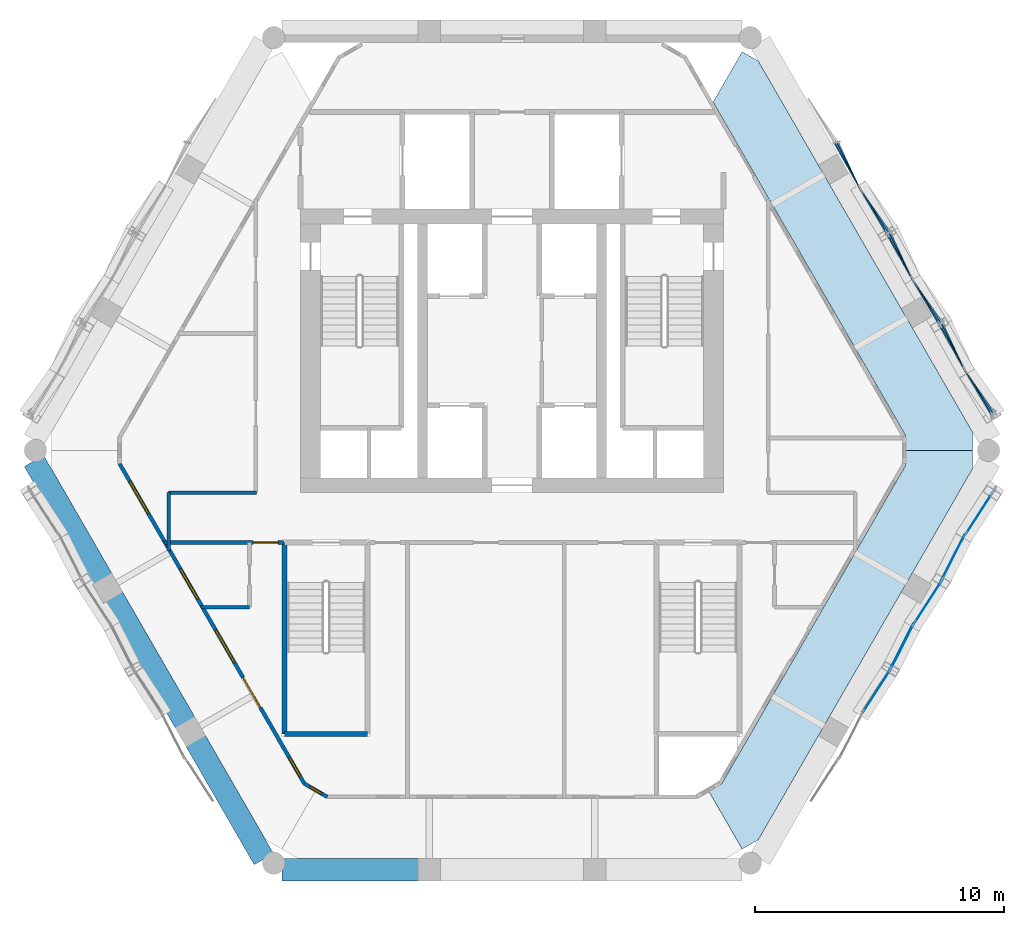
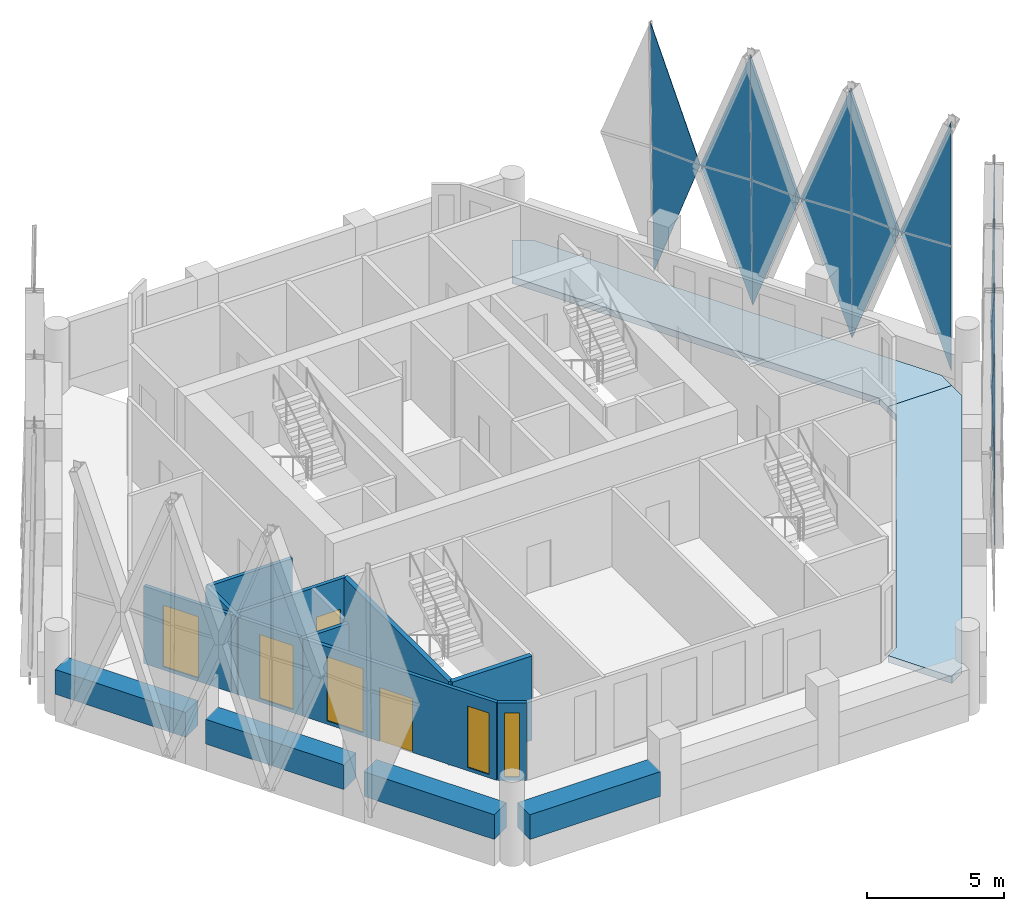
# One storey, part 11 of 18: 21 plates, 12 walls, 5 windows, 2 doors, 2 slabs, 7 openings, 8 elements without a shape of their own.
"""IFC4 building model written with IfcOpenShell, lengths in metres."""

from ifc_helpers import new_model, si_unit, direction, frame, frame_2d, origin, place, context, subcontext, project, spatial, polyline, rectangle, outline, extrude, material, layer, layer_set, type_object, element, fill, aggregate, save


model = new_model("IFC4")

# Units and contexts
model_context = context("Model", 3, precision=1e-05, world=origin(), true_north=direction((0.0, 1.0)))
body_context = subcontext(model_context, "Body", "Model", "MODEL_VIEW")
ifc_project = project(units=[si_unit("LENGTHUNIT", "METRE"), si_unit("AREAUNIT", "SQUARE_METRE"), si_unit("VOLUMEUNIT", "CUBIC_METRE"), si_unit("PLANEANGLEUNIT", "RADIAN"), si_unit("MASSUNIT", "GRAM", prefix="KILO")], contexts=[model_context])

# Site, building, storey
site_placement = place(None, origin())
site = spatial("IfcSite", under=ifc_project, at=site_placement, CompositionType="ELEMENT")
building_placement = place(site_placement, origin())
building = spatial("IfcBuilding", under=site, at=building_placement, Name="Ostrander Bayou Hotel Tower", CompositionType="ELEMENT")
storey_placement = place(building_placement, frame((0.0, 0.0, 214.5)))
storey = spatial("IfcBuildingStorey", under=building, at=storey_placement, Name="L53", CompositionType="ELEMENT", Elevation=214.5)

# Curtain wall, plate
ifc_material_1 = material(Name="Aluminium and clear glass", Category="aluminium")
curtain_wall_type = type_object("IfcCurtainWallType", Name="CW-LAT lattice glazing", PredefinedType="NOTDEFINED", material=ifc_material_1)
curtain_wall_1_placement = place(storey_placement, origin())
curtain_wall_1 = element("IfcCurtainWall", 1, at=curtain_wall_1_placement, inside=storey, type_object=curtain_wall_type, Name="CW-LAT L53 SE 2", PredefinedType="NOTDEFINED")
ifc_material_2 = material(Name="Clear laminated glass", Category="glass")
ifc_layer_1 = layer(ifc_material_2, 0.028076171875)
ifc_layer_set_1 = layer_set([ifc_layer_1], Name="CW-LA glazing panel 28 mm")
plate_type = type_object("IfcPlateType", Name="CW-LA glazing panel 28 mm", PredefinedType="CURTAIN_PANEL", material=ifc_layer_set_1)
plate_1_placement = place(storey_placement, frame((14.089111328125, -10.518310546875, 5.02490234375), z_axis=(-0.838389655086, 0.545071358856, 0.0), x_axis=(0.188046818947, 0.289240124464, 0.938604572908)))
plate_1 = element("IfcPlate", 2, at=plate_1_placement, type_object=plate_type, Name="CW-LAT panel 6", PredefinedType="CURTAIN_PANEL", context=body_context, shape_type="SweptSolid", body=[
    extrude(outline(polyline([(0.0, 0.0), (5.9929390526747985, 0.0), (0.7132883300668317, 1.940596106165623), (0.0, 0.0)])), origin(), (0.0, 0.0, -1.0), 0.028076171875),
])

curtain_wall_2_placement = place(storey_placement, origin())
curtain_wall_2 = element("IfcCurtainWall", 3, at=curtain_wall_2_placement, inside=storey, type_object=curtain_wall_type, Name="CW-LAT L53 SE 3", PredefinedType="NOTDEFINED")
plate_2_placement = place(storey_placement, frame((16.153564453125, -6.9423828125, 5.02490234375), z_axis=(-0.891263795386, 0.45348522251, 0.0), x_axis=(-0.156435996819, -0.307453767706, -0.938615980912)))
plate_2 = element("IfcPlate", 4, at=plate_2_placement, type_object=plate_type, Name="CW-LAT panel 7", PredefinedType="CURTAIN_PANEL", context=body_context, shape_type="SweptSolid", body=[
    extrude(outline(polyline([(0.0, 0.0), (5.9928662140784255, 0.0), (0.7131513214499321, 1.9404215141450316), (0.0, 0.0)])), origin(), (0.0, 0.0, -1.0), 0.028076171875),
])

curtain_wall_3_placement = place(storey_placement, origin())
curtain_wall_3 = element("IfcCurtainWall", 5, at=curtain_wall_3_placement, inside=storey, type_object=curtain_wall_type, Name="CW-LAT L53 SE 4", PredefinedType="NOTDEFINED")
plate_3_placement = place(storey_placement, frame((16.153564453125, -6.9423828125, 5.02490234375), z_axis=(0.891263795386, -0.45348522251, 0.0), x_axis=(-0.156435996819, -0.307453767706, 0.938615980912)))
plate_3 = element("IfcPlate", 6, at=plate_3_placement, type_object=plate_type, Name="CW-LAT panel 8", PredefinedType="CURTAIN_PANEL", context=body_context, shape_type="SweptSolid", body=[
    extrude(outline(polyline([(0.0, 0.0), (5.9928662140784255, 0.0), (0.7131513214499321, 1.9404215141450316), (0.0, 0.0)])), origin(), (0.0, 0.0, -1.0), 0.028076171875),
])

curtain_wall_4_placement = place(storey_placement, origin())
curtain_wall_4 = element("IfcCurtainWall", 7, at=curtain_wall_4_placement, inside=storey, type_object=curtain_wall_type, Name="CW-LAT L53 SE 1", PredefinedType="NOTDEFINED")
plate_4_placement = place(storey_placement, frame((16.153564453125, -6.9423828125, 5.02490234375), z_axis=(-0.838354483937, 0.545125270863, 0.00044534117), x_axis=(0.19147414186, 0.295235007192, -0.936041635573)))
plate_4 = element("IfcPlate", 8, at=plate_4_placement, type_object=plate_type, Name="CW-LAT panel 9", PredefinedType="CURTAIN_PANEL", context=body_context, shape_type="SweptSolid", body=[
    extrude(outline(polyline([(0.0, 0.0), (6.009348074088473, -2.220446049250313e-16), (0.7274702038293703, -1.9351057504084879), (0.0, 0.0)])), origin(), (0.0, 0.0, -1.0), 0.028076171875),
])

# Plate
plate_5_placement = place(storey_placement, frame((16.153564453125, -6.9423828125, 5.02490234375), z_axis=(-0.838354479118, 0.545125267729, 0.00045806813), x_axis=(0.184632169995, 0.283157124426, 0.941133893072)))
plate_5 = element("IfcPlate", 9, at=plate_5_placement, type_object=plate_type, Name="CW-LAT panel 10", PredefinedType="CURTAIN_PANEL", context=body_context, shape_type="SweptSolid", body=[
    extrude(outline(polyline([(0.0, 0.0), (5.976832883615248, -4.440892098500626e-16), (0.6988267878414262, 1.945633131738555), (0.0, 0.0)])), origin(), (0.0, 0.0, -1.0), 0.028076171875),
])

plate_6_placement = place(storey_placement, frame((18.218017578125, -3.366455078125, 5.02490234375), z_axis=(0.891287989002, -0.453437450684, 0.000446069584), x_axis=(-0.152894503593, -0.301459106737, -0.941140625909)))
plate_6 = element("IfcPlate", 10, at=plate_6_placement, type_object=plate_type, Name="CW-LAT panel 11", PredefinedType="CURTAIN_PANEL", context=body_context, shape_type="SweptSolid", body=[
    extrude(outline(polyline([(0.0, 0.0), (5.9767901258815845, -2.220446049250313e-16), (0.6988594315048104, -1.9458457510687583), (0.0, 0.0)])), origin(), (0.0, 0.0, -1.0), 0.028076171875),
])

aggregate(curtain_wall_2, [plate_2, plate_6])

plate_7_placement = place(storey_placement, frame((18.218017578125, -3.366455078125, 5.02490234375), z_axis=(0.891287996396, -0.453437454446, 0.000427065658), x_axis=(-0.159908212959, -0.313437973317, 0.936048075855)))
plate_7 = element("IfcPlate", 11, at=plate_7_placement, type_object=plate_type, Name="CW-LAT panel 12", PredefinedType="CURTAIN_PANEL", context=body_context, shape_type="SweptSolid", body=[
    extrude(outline(polyline([(0.0, 0.0), (6.009306728036717, 0.0), (0.7275091211807005, 1.9353166848230423), (0.0, 0.0)])), origin(), (0.0, 0.0, -1.0), 0.028076171875),
])

aggregate(curtain_wall_3, [plate_3, plate_7])

plate_8_placement = place(storey_placement, frame((18.218017578125, -3.366455078125, 5.02490234375), z_axis=(-0.838300252815, 0.545208095118, 0.000905067842), x_axis=(0.194872312498, 0.301181033495, -0.933442428265)))
plate_8 = element("IfcPlate", 12, at=plate_8_placement, type_object=plate_type, Name="CW-LAT panel 13", PredefinedType="CURTAIN_PANEL", context=body_context, shape_type="SweptSolid", body=[
    extrude(outline(polyline([(0.0, 0.0), (6.026081341146055, 4.440892098500626e-16), (0.7416527401324696, -1.929857172296114), (0.0, 0.0)])), origin(), (0.0, 0.0, -1.0), 0.028076171875),
])

aggregate(curtain_wall_4, [plate_4, plate_8])

plate_9_placement = place(storey_placement, frame((18.218017578125, -3.366455078125, 5.02490234375), z_axis=(-0.838300279866, 0.545208112712, 0.00086868331), x_axis=(0.181149399113, 0.277027930274, 0.943631507024)))
plate_9 = element("IfcPlate", 13, at=plate_9_placement, type_object=plate_type, Name="CW-LAT panel 14", PredefinedType="CURTAIN_PANEL", context=body_context, shape_type="SweptSolid", body=[
    extrude(outline(polyline([(0.0, 0.0), (5.961013338498988, 0.0), (0.6843232550587842, 1.9509226471068768), (0.0, 0.0)])), origin(), (0.0, 0.0, -1.0), 0.028076171875),
])

aggregate(curtain_wall_1, [plate_1, plate_5, plate_9])

# Curtain wall, plate
curtain_wall_5_placement = place(storey_placement, origin())
curtain_wall_5 = element("IfcCurtainWall", 14, at=curtain_wall_5_placement, inside=storey, type_object=curtain_wall_type, Name="CW-LAT L53 NE 3", PredefinedType="NOTDEFINED")
plate_10_placement = place(storey_placement, frame((18.2001953125, 3.233642578125, 5.02490234375), z_axis=(0.838681381803, 0.544417395247, 0.014941203737), x_axis=(0.19899021183, -0.280778734284, -0.938917567186)))
plate_10 = element("IfcPlate", 15, at=plate_10_placement, type_object=plate_type, Name="CW-LAT panel 1", PredefinedType="CURTAIN_PANEL", context=body_context, shape_type="SweptSolid", body=[
    extrude(outline(polyline([(0.0, 0.0), (5.990941267465549, 4.440892098500626e-16), (0.7231177853239341, -1.9747329200857906), (0.0, 0.0)])), origin(), (0.0, 0.0, -1.0), 0.028076171875),
])

curtain_wall_6_placement = place(storey_placement, origin())
curtain_wall_6 = element("IfcCurtainWall", 16, at=curtain_wall_6_placement, inside=storey, type_object=curtain_wall_type, Name="CW-LAT L53 NE 4", PredefinedType="NOTDEFINED")
plate_11_placement = place(storey_placement, frame((18.2001953125, 3.233642578125, 5.02490234375), z_axis=(0.838680925109, 0.544417098791, 0.014977596683), x_axis=(0.182305513905, -0.306545748471, 0.934234662006)))
plate_11 = element("IfcPlate", 17, at=plate_11_placement, type_object=plate_type, Name="CW-LAT panel 2", PredefinedType="CURTAIN_PANEL", context=body_context, shape_type="SweptSolid", body=[
    extrude(outline(polyline([(0.0, 0.0), (6.020971206441602, -4.440892098500626e-16), (0.7494643293257232, 1.964884896422864), (0.0, 0.0)])), origin(), (0.0, 0.0, -1.0), 0.028076171875),
])

curtain_wall_7_placement = place(storey_placement, origin())
curtain_wall_7 = element("IfcCurtainWall", 18, at=curtain_wall_7_placement, inside=storey, type_object=curtain_wall_type, Name="CW-LAT L53 NE 1", PredefinedType="NOTDEFINED")
plate_12_placement = place(storey_placement, frame((18.2001953125, 3.233642578125, 5.02490234375), z_axis=(0.890802101488, 0.454166274081, 0.014304246673), x_axis=(-0.148948402298, 0.321598675697, -0.935087517424)))
plate_12 = element("IfcPlate", 19, at=plate_12_placement, type_object=plate_type, Name="CW-LAT panel 3", PredefinedType="CURTAIN_PANEL", context=body_context, shape_type="SweptSolid", body=[
    extrude(outline(polyline([(0.0, 0.0), (6.015479722683937, 2.220446049250313e-16), (0.7447052706094788, 1.9664199739631727), (0.0, 0.0)])), origin(), (0.0, 0.0, -1.0), 0.028076171875),
])

curtain_wall_8_placement = place(storey_placement, origin())
curtain_wall_8 = element("IfcCurtainWall", 20, at=curtain_wall_8_placement, inside=storey, type_object=curtain_wall_type, Name="CW-LAT L53 NE 2", PredefinedType="NOTDEFINED")
plate_13_placement = place(storey_placement, frame((18.2001953125, 3.233642578125, 5.02490234375), z_axis=(0.890801850138, 0.454166145933, 0.01432395471), x_axis=(-0.169140318983, 0.302164253051, 0.938130223728)))
plate_13 = element("IfcPlate", 21, at=plate_13_placement, type_object=plate_type, Name="CW-LAT panel 4", PredefinedType="CURTAIN_PANEL", context=body_context, shape_type="SweptSolid", body=[
    extrude(outline(polyline([(0.0, 0.0), (5.995969277745672, 0.0), (0.7275837991990841, -1.9728191172071219), (0.0, 0.0)])), origin(), (0.0, 0.0, -1.0), 0.028076171875),
])

# Plate
plate_14_placement = place(storey_placement, frame((16.100341796875, 6.870849609375, 5.02490234375), z_axis=(0.838736903053, 0.544337347878, 0.014739713752), x_axis=(0.200673928315, -0.283816665194, -0.937644962154)))
plate_14 = element("IfcPlate", 22, at=plate_14_placement, type_object=plate_type, Name="CW-LAT panel 5", PredefinedType="CURTAIN_PANEL", context=body_context, shape_type="SweptSolid", body=[
    extrude(outline(polyline([(0.0, 0.0), (5.999072385647575, 4.440892098500626e-16), (0.7303553359116741, -1.971925832394399), (0.0, 0.0)])), origin(), (0.0, 0.0, -1.0), 0.028076171875),
])

plate_15_placement = place(storey_placement, frame((16.100341796875, 6.870849609375, 5.02490234375), z_axis=(0.83873661074, 0.544337158168, 0.01476333436), x_axis=(0.180569133683, -0.30360139702, 0.935532457849)))
plate_15 = element("IfcPlate", 23, at=plate_15_placement, type_object=plate_type, Name="CW-LAT panel 6", PredefinedType="CURTAIN_PANEL", context=body_context, shape_type="SweptSolid", body=[
    extrude(outline(polyline([(0.0, 0.0), (6.01261875289098, 4.440892098500626e-16), (0.7422384671159497, 1.96748378979151), (0.0, 0.0)])), origin(), (0.0, 0.0, -1.0), 0.028076171875),
])

plate_16_placement = place(storey_placement, frame((16.100341796875, 6.870849609375, 5.02490234375), z_axis=(0.890799534933, 0.454164965549, 0.014504228055), x_axis=(-0.147203413834, 0.31862914535, -0.936379529192)))
plate_16 = element("IfcPlate", 24, at=plate_16_placement, type_object=plate_type, Name="CW-LAT panel 7", PredefinedType="CURTAIN_PANEL", context=body_context, shape_type="SweptSolid", body=[
    extrude(outline(polyline([(0.0, 0.0), (6.007179594000483, -2.220446049250313e-16), (0.7374758757783697, 1.969142652709495), (0.0, 0.0)])), origin(), (0.0, 0.0, -1.0), 0.028076171875),
])

plate_17_placement = place(storey_placement, frame((16.100341796875, 6.870849609375, 5.02490234375), z_axis=(0.890798779187, 0.45416458024, 0.014562590895), x_axis=(-0.170900002624, 0.305164054173, 0.936839414811)))
plate_17 = element("IfcPlate", 25, at=plate_17_placement, type_object=plate_type, Name="CW-LAT panel 8", PredefinedType="CURTAIN_PANEL", context=body_context, shape_type="SweptSolid", body=[
    extrude(outline(polyline([(0.0, 0.0), (6.004230726281097, 6.661338147750939e-16), (0.7348839350432865, -1.970111432404308), (0.0, 0.0)])), origin(), (0.0, 0.0, -1.0), 0.028076171875),
])

plate_18_placement = place(storey_placement, frame((14.00048828125, 10.508056640625, 5.02490234375), z_axis=(0.838739811851, 0.544339235678, 0.014502569349), x_axis=(0.202350329175, -0.286842463008, -0.936363041613)))
plate_18 = element("IfcPlate", 26, at=plate_18_placement, type_object=plate_type, Name="CW-LAT panel 9", PredefinedType="CURTAIN_PANEL", context=body_context, shape_type="SweptSolid", body=[
    extrude(outline(polyline([(0.0, 0.0), (6.007285369050406, 2.220446049250313e-16), (0.7376116915853436, -1.9692230441459917), (0.0, 0.0)])), origin(), (0.0, 0.0, -1.0), 0.028076171875),
])

aggregate(curtain_wall_5, [plate_10, plate_14, plate_18])

plate_19_placement = place(storey_placement, frame((14.00048828125, 10.508056640625, 5.02490234375), z_axis=(0.83873908015, 0.544338760806, 0.014562586117), x_axis=(0.178827707881, -0.300607831825, 0.936832739788)))
plate_19 = element("IfcPlate", 27, at=plate_19_placement, type_object=plate_type, Name="CW-LAT panel 10", PredefinedType="CURTAIN_PANEL", context=body_context, shape_type="SweptSolid", body=[
    extrude(outline(polyline([(0.0, 0.0), (6.004273506999107, 0.0), (0.7349645281234933, 1.970212564054754), (0.0, 0.0)])), origin(), (0.0, 0.0, -1.0), 0.028076171875),
])

aggregate(curtain_wall_6, [plate_11, plate_15, plate_19])

plate_20_placement = place(storey_placement, frame((14.00048828125, 10.508056640625, 5.02490234375), z_axis=(0.89079693276, 0.454163638858, 0.014704207695), x_axis=(-0.145451620119, 0.315647108463, -0.937662374804)))
plate_20 = element("IfcPlate", 28, at=plate_20_placement, type_object=plate_type, Name="CW-LAT panel 11", PredefinedType="CURTAIN_PANEL", context=body_context, shape_type="SweptSolid", body=[
    extrude(outline(polyline([(0.0, 0.0), (5.998960981210014, -2.220446049250313e-16), (0.7302165530131803, 1.9718461501294693), (0.0, 0.0)])), origin(), (0.0, 0.0, -1.0), 0.028076171875),
])

aggregate(curtain_wall_7, [plate_12, plate_16, plate_20])

plate_21_placement = place(storey_placement, frame((14.00048828125, 10.508056640625, 5.02490234375), z_axis=(0.89079616662, 0.45416324825, 0.014762570023), x_axis=(-0.172613089305, 0.308153548514, 0.935545889809)))
plate_21 = element("IfcPlate", 29, at=plate_21_placement, type_object=plate_type, Name="CW-LAT panel 12", PredefinedType="CURTAIN_PANEL", context=body_context, shape_type="SweptSolid", body=[
    extrude(outline(polyline([(0.0, 0.0), (6.012532427615079, 0.0), (0.7421202595477522, -1.9673970047866893), (0.0, 0.0)])), origin(), (0.0, 0.0, -1.0), 0.028076171875),
])

aggregate(curtain_wall_8, [plate_13, plate_17, plate_21])

# Slabs
ifc_material_3 = material(Name="Concrete f'c 40 MPa", Category="concrete")
ifc_layer_2 = layer(ifc_material_3, 0.300048828125)
ifc_layer_set_2 = layer_set([ifc_layer_2], Name="SL4 loggia slab 300 mm f'c 40 MPa")
slab_type = type_object("IfcSlabType", Name="SL4 loggia slab 300 mm f'c 40 MPa", PredefinedType="FLOOR", material=ifc_layer_set_2)
slab_1_placement = place(storey_placement, frame((0.0, 0.0, -0.300048828125)))
element("IfcSlab", 30, at=slab_1_placement, inside=storey, type_object=slab_type, Name="SL4 LOGGIA L53 SE 1", PredefinedType="FLOOR", context=body_context, shape_type="SweptSolid", body=[
    extrude(outline(polyline([(15.8193359375, 0.0), (18.504150390625, 0.0), (18.504150390625, -0.75), (17.3330078125, -2.7783203125), (16.077392578125, -4.952880859375), (15.657470703125, -5.680419921875), (12.748046875, -10.719482421875), (12.328125, -11.447021484375), (9.901611328125, -15.64990234375), (9.251953125, -16.02490234375), (7.90966796875, -13.699951171875), (8.42919921875, -13.39990234375), (15.8193359375, -0.60009765625), (15.8193359375, 0.0)])), origin(), (0.0, 0.0, 1.0), 0.300048828125),
])
slab_2_placement = place(storey_placement, frame((0.0, 0.0, -0.300048828125)))
element("IfcSlab", 31, at=slab_2_placement, inside=storey, type_object=slab_type, Name="SL4 LOGGIA L53 NE 1", PredefinedType="FLOOR", context=body_context, shape_type="SweptSolid", body=[
    extrude(outline(polyline([(9.251953125, 16.02490234375), (9.901611328125, 15.64990234375), (12.328125, 11.447021484375), (12.748046875, 10.719482421875), (15.657470703125, 5.680419921875), (16.077392578125, 4.952880859375), (18.504150390625, 0.75), (18.504150390625, 0.0), (15.8193359375, 0.0), (15.8193359375, 0.60009765625), (8.0830078125, 14.0), (9.251953125, 16.02490234375)])), origin(), (0.0, 0.0, 1.0), 0.300048828125),
])

# Wall, openings, door, windows
ifc_material_4 = material(Name="Aluminium framed insulated wall", Category="aluminium")
ifc_layer_3 = layer(ifc_material_4, 0.14990234375)
ifc_layer_set_3 = layer_set([ifc_layer_3], Name="GW1 glass-line wall 150 mm")
wall_type_1 = type_object("IfcWallType", Name="GW1 glass-line wall 150 mm", PredefinedType="SOLIDWALL", material=ifc_layer_set_3)
wall_1_placement = place(storey_placement, frame((-15.771728515625, -0.532470703125, 0.0), z_axis=(0.0, 0.0, 1.0), x_axis=(0.500000919504, -0.866024872908, 0.0)))
wall_1 = element("IfcWall", 32, at=wall_1_placement, inside=storey, type_object=wall_type_1, Name="GW1 L53 SW 1", PredefinedType="SOLIDWALL", context=body_context, shape_type="SweptSolid", body=[
    extrude(rectangle(XDim=14.849609375, YDim=0.14990234375, at=frame_2d((7.4248046875, 0.0))), origin(), (0.0, 0.0, 1.0), 3.449951171875),
])
opening_1_placement = place(wall_1_placement, frame((4.8837890625, 0.0, 0.14990234375)))
opening_1 = element("IfcOpeningElement", 33, at=opening_1_placement, cuts=wall_1, Name="Opening W14", PredefinedType="OPENING", context=body_context, shape_type="SweptSolid", body=[
    extrude(rectangle(XDim=1.39990234375, YDim=2.85009765625, at=frame_2d((0.699951171875, 1.425048828125))), frame((0.0, 0.074951171875, 0.0), z_axis=(0.0, -1.0, 0.0), x_axis=(1.0, 0.0, 0.0)), (0.0, 0.0, 1.0), 0.14990234375),
])
opening_2_placement = place(wall_1_placement, frame((7.724609375, 0.0, 0.14990234375)))
opening_2 = element("IfcOpeningElement", 34, at=opening_2_placement, cuts=wall_1, Name="Opening W4", PredefinedType="OPENING", context=body_context, shape_type="SweptSolid", body=[
    extrude(rectangle(XDim=1.5, YDim=2.85009765625, at=frame_2d((0.75, 1.425048828125))), frame((0.0, 0.074951171875, 0.0), z_axis=(0.0, -1.0, 0.0), x_axis=(1.0, 0.0, 0.0)), (0.0, 0.0, 1.0), 0.14990234375),
])
opening_3_placement = place(wall_1_placement, frame((9.9248046875, 0.0, 0.0)))
opening_3 = element("IfcOpeningElement", 35, at=opening_3_placement, cuts=wall_1, Name="Opening T53-800", PredefinedType="OPENING", context=body_context, shape_type="SweptSolid", body=[
    extrude(rectangle(XDim=1.39990234375, YDim=2.39990234375, at=frame_2d((0.699951171875, 1.199951171875))), frame((0.0, 0.074951171875, 0.0), z_axis=(0.0, -1.0, 0.0), x_axis=(1.0, 0.0, 0.0)), (0.0, 0.0, 1.0), 0.14990234375),
])
opening_4_placement = place(wall_1_placement, frame((0.8125, 0.0, 0.14990234375)))
opening_4 = element("IfcOpeningElement", 36, at=opening_4_placement, cuts=wall_1, Name="Opening W4", PredefinedType="OPENING", context=body_context, shape_type="SweptSolid", body=[
    extrude(rectangle(XDim=1.5, YDim=2.72998046875, at=frame_2d((0.75, 1.364990234375))), frame((0.0, 0.074951171875, 0.0), z_axis=(0.0, -1.0, 0.0), x_axis=(1.0, 0.0, 0.0)), (0.0, 0.0, 1.0), 0.14990234375),
])
opening_5_placement = place(wall_1_placement, frame((13.631591796875, 0.0, 0.14990234375)))
opening_5 = element("IfcOpeningElement", 37, at=opening_5_placement, cuts=wall_1, Name="Opening W18", PredefinedType="OPENING", context=body_context, shape_type="SweptSolid", body=[
    extrude(rectangle(XDim=0.89990234375, YDim=2.72998046875, at=frame_2d((0.449951171875, 1.364990234375))), frame((0.0, 0.074951171875, 0.0), z_axis=(0.0, -1.0, 0.0), x_axis=(1.0, 0.0, 0.0)), (0.0, 0.0, 1.0), 0.14990234375),
])
ifc_material_5 = material(Name="Aluminium and clear glass", Category="aluminium")
door_type_1 = type_object("IfcDoorType", Name="SD4 sliding glass door 1400 mm, zone 4", OperationType="SLIDING_TO_LEFT", PredefinedType="DOOR", material=ifc_material_5)
door_1_placement = place(opening_3_placement, origin())
door_1 = element("IfcDoor", 38, at=door_1_placement, inside=storey, type_object=door_type_1, Name="SD4 L53 SW 2", OperationType="SLIDING_TO_RIGHT", OverallHeight=2.39990234375, OverallWidth=1.39990234375, PredefinedType="DOOR", context=body_context, shape_type="SweptSolid", body=[
    extrude(rectangle(XDim=1.39990234375, YDim=2.39990234375, at=frame_2d((0.699951171875, 1.199951171875))), frame((0.0, 0.02490234375, 0.0), z_axis=(0.0, -1.0, 0.0), x_axis=(1.0, 0.0, 0.0)), (0.0, 0.0, 1.0), 0.050048828125),
])
fill(opening_3, door_1)
ifc_material_6 = material(Name="Aluminium and clear glass", Category="aluminium")
window_type_1 = type_object("IfcWindowType", Name="W14 fixed window 1400 mm, bath bay, zone 4", PartitioningType="SINGLE_PANEL", PredefinedType="WINDOW", material=ifc_material_6)
window_1_placement = place(opening_1_placement, origin())
window_1 = element("IfcWindow", 39, at=window_1_placement, inside=storey, type_object=window_type_1, Name="W14 L53 SW 1", OverallHeight=2.85009765625, OverallWidth=1.39990234375, PartitioningType="SINGLE_PANEL", PredefinedType="WINDOW", context=body_context, shape_type="SweptSolid", body=[
    extrude(rectangle(XDim=1.39990234375, YDim=2.85009765625, at=frame_2d((0.699951171875, 1.425048828125))), frame((0.0, 0.030029296875, 0.0), z_axis=(0.0, -1.0, 0.0), x_axis=(1.0, 0.0, 0.0)), (0.0, 0.0, 1.0), 0.06005859375),
])
fill(opening_1, window_1)
ifc_material_7 = material(Name="Aluminium and clear glass", Category="aluminium")
window_type_2 = type_object("IfcWindowType", Name="W18 window 900 mm, zone 4", PartitioningType="SINGLE_PANEL", PredefinedType="WINDOW", material=ifc_material_7)
window_2_placement = place(opening_5_placement, origin())
window_2 = element("IfcWindow", 40, at=window_2_placement, inside=storey, type_object=window_type_2, Name="W18 L53 SW E22", OverallHeight=2.72998046875, OverallWidth=0.89990234375, PartitioningType="SINGLE_PANEL", PredefinedType="WINDOW", context=body_context, shape_type="SweptSolid", body=[
    extrude(rectangle(XDim=0.89990234375, YDim=2.72998046875, at=frame_2d((0.449951171875, 1.364990234375))), frame((0.0, 0.030029296875, 0.0), z_axis=(0.0, -1.0, 0.0), x_axis=(1.0, 0.0, 0.0)), (0.0, 0.0, 1.0), 0.06005859375),
])
fill(opening_5, window_2)
ifc_material_8 = material(Name="Aluminium and clear glass", Category="aluminium")
window_type_3 = type_object("IfcWindowType", Name="W4 fixed window 1500 mm, zone 4", PartitioningType="SINGLE_PANEL", PredefinedType="WINDOW", material=ifc_material_8)
window_3_placement = place(opening_2_placement, origin())
window_3 = element("IfcWindow", 41, at=window_3_placement, inside=storey, type_object=window_type_3, Name="W4 L53 SW 2", OverallHeight=2.85009765625, OverallWidth=1.5, PartitioningType="SINGLE_PANEL", PredefinedType="WINDOW", context=body_context, shape_type="SweptSolid", body=[
    extrude(rectangle(XDim=1.5, YDim=2.85009765625, at=frame_2d((0.75, 1.425048828125))), frame((0.0, 0.030029296875, 0.0), z_axis=(0.0, -1.0, 0.0), x_axis=(1.0, 0.0, 0.0)), (0.0, 0.0, 1.0), 0.06005859375),
])
fill(opening_2, window_3)
window_4_placement = place(opening_4_placement, origin())
window_4 = element("IfcWindow", 42, at=window_4_placement, inside=storey, type_object=window_type_3, Name="W4 L53 SW E11", OverallHeight=2.72998046875, OverallWidth=1.5, PartitioningType="SINGLE_PANEL", PredefinedType="WINDOW", context=body_context, shape_type="SweptSolid", body=[
    extrude(rectangle(XDim=1.5, YDim=2.72998046875, at=frame_2d((0.75, 1.364990234375))), frame((0.0, 0.030029296875, 0.0), z_axis=(0.0, -1.0, 0.0), x_axis=(1.0, 0.0, 0.0)), (0.0, 0.0, 1.0), 0.06005859375),
])
fill(opening_4, window_4)

# Wall, opening, window
wall_2_placement = place(storey_placement, frame((-8.346923828125, -13.392578125, 0.0), z_axis=(0.0, 0.0, 1.0), x_axis=(0.865990848561, -0.500059846627, 0.0)))
wall_2 = element("IfcWall", 43, at=wall_2_placement, inside=storey, type_object=wall_type_1, Name="GW1 L53 corner 3", PredefinedType="SOLIDWALL", context=body_context, shape_type="SweptSolid", body=[
    extrude(rectangle(XDim=1.064697265625, YDim=0.14990234375, at=frame_2d((0.5322265625, 0.0))), origin(), (0.0, 0.0, 1.0), 3.449951171875),
])
opening_6_placement = place(wall_2_placement, frame((0.257568359375, 0.0, 0.14990234375)))
opening_6 = element("IfcOpeningElement", 44, at=opening_6_placement, cuts=wall_2, Name="Opening W19", PredefinedType="OPENING", context=body_context, shape_type="SweptSolid", body=[
    extrude(rectangle(XDim=0.550048828125, YDim=2.85009765625, at=frame_2d((0.27490234375, 1.425048828125))), frame((0.0, 0.074951171875, 0.0), z_axis=(0.0, -1.0, 0.0), x_axis=(1.0, 0.0, 0.0)), (0.0, 0.0, 1.0), 0.14990234375),
])
ifc_material_9 = material(Name="Aluminium and clear glass", Category="aluminium")
window_type_4 = type_object("IfcWindowType", Name="W19 corner window 550 mm", PartitioningType="SINGLE_PANEL", PredefinedType="WINDOW", material=ifc_material_9)
window_5_placement = place(opening_6_placement, origin())
window_5 = element("IfcWindow", 45, at=window_5_placement, inside=storey, type_object=window_type_4, Name="W19 L53 corner 3", OverallHeight=2.85009765625, OverallWidth=0.550048828125, PartitioningType="SINGLE_PANEL", PredefinedType="WINDOW", context=body_context, shape_type="SweptSolid", body=[
    extrude(rectangle(XDim=0.550048828125, YDim=2.85009765625, at=frame_2d((0.27490234375, 1.425048828125))), frame((0.0, 0.030029296875, 0.0), z_axis=(0.0, -1.0, 0.0), x_axis=(1.0, 0.0, 0.0)), (0.0, 0.0, 1.0), 0.06005859375),
])
fill(opening_6, window_5)

# Walls
ifc_material_10 = material(Name="Concrete f'c 40 MPa", Category="concrete")
ifc_layer_4 = layer(ifc_material_10, 0.89990234375)
ifc_layer_set_4 = layer_set([ifc_layer_4], Name="PA1 stone-faced parapet 900 mm")
wall_type_2 = type_object("IfcWallType", Name="PA1 stone-faced parapet 900 mm", PredefinedType="PARAPET", material=ifc_layer_set_4)
wall_3_placement = place(storey_placement, frame((-9.2412109375, -16.85009765625, 0.0), z_axis=(0.0, 0.0, 1.0), x_axis=(1.0, 0.0, 0.0)))
element("IfcWall", 46, at=wall_3_placement, inside=storey, type_object=wall_type_2, Name="PA1 L53 S-1", PredefinedType="PARAPET", context=body_context, shape_type="SweptSolid", body=[
    extrude(rectangle(XDim=5.49169921875, YDim=0.89990234375, at=frame_2d((2.745849609375, 0.0))), origin(), (0.0, 0.0, 1.0), 1.10009765625),
])
ifc_material_11 = material(Name="Limestone masonry", Category="masonry")
ifc_layer_5 = layer(ifc_material_11, 0.89990234375)
ifc_layer_set_5 = layer_set([ifc_layer_5], Name="PA2 limestone parapet 900 mm")
wall_type_3 = type_object("IfcWallType", Name="PA2 limestone parapet 900 mm", PredefinedType="PARAPET", material=ifc_layer_set_5)
wall_4_placement = place(storey_placement, frame((-19.213134765625, -0.422119140625, 0.0), z_axis=(0.0, 0.0, 1.0), x_axis=(0.50000722722, -0.866021231107, 0.0)))
element("IfcWall", 47, at=wall_4_placement, inside=storey, type_object=wall_type_3, Name="PA2 L53 SW-1", PredefinedType="PARAPET", context=body_context, shape_type="SweptSolid", body=[
    extrude(rectangle(XDim=5.49169921875, YDim=0.89990234375, at=frame_2d((2.745849609375, 0.0))), origin(), (0.0, 0.0, 1.0), 1.10009765625),
])
wall_5_placement = place(storey_placement, frame((-16.047119140625, -5.905517578125, 0.0), z_axis=(0.0, 0.0, 1.0), x_axis=(0.500015433515, -0.866016493057, 0.0)))
element("IfcWall", 48, at=wall_5_placement, inside=storey, type_object=wall_type_3, Name="PA2 L53 SW-2", PredefinedType="PARAPET", context=body_context, shape_type="SweptSolid", body=[
    extrude(rectangle(XDim=5.818603515625, YDim=0.89990234375, at=frame_2d((2.9091796875, 0.0))), origin(), (0.0, 0.0, 1.0), 1.10009765625),
])
wall_6_placement = place(storey_placement, frame((-12.7177734375, -11.672119140625, 0.0), z_axis=(0.0, 0.0, 1.0), x_axis=(0.50000722722, -0.866021231107, 0.0)))
element("IfcWall", 49, at=wall_6_placement, inside=storey, type_object=wall_type_3, Name="PA2 L53 SW-3", PredefinedType="PARAPET", context=body_context, shape_type="SweptSolid", body=[
    extrude(rectangle(XDim=5.49169921875, YDim=0.89990234375, at=frame_2d((2.745849609375, 0.0))), origin(), (0.0, 0.0, 1.0), 1.10009765625),
])
ifc_material_12 = material(Name="Gypsum board partition", Category="finish")
ifc_layer_6 = layer(ifc_material_12, 0.14990234375)
ifc_layer_set_6 = layer_set([ifc_layer_6], Name="PT8 service band wall 150 mm, 1 hour")
wall_type_4 = type_object("IfcWallType", Name="PT8 service band wall 150 mm, 1 hour", PredefinedType="PARTITIONING", material=ifc_layer_set_6)
wall_7_placement = place(storey_placement, frame((-12.493896484375, -6.300048828125, 0.0), z_axis=(0.0, 0.0, 1.0), x_axis=(1.0, 0.0, 0.0)))
element("IfcWall", 50, at=wall_7_placement, inside=storey, type_object=wall_type_4, Name="gw:L53:001", PredefinedType="PARTITIONING", context=body_context, shape_type="SweptSolid", body=[
    extrude(rectangle(XDim=1.94384765625, YDim=0.14990234375, at=frame_2d((0.971923828125, 0.0))), origin(), (0.0, 0.0, 1.0), 3.449951171875),
])

# Wall, opening, door
wall_8_placement = place(storey_placement, frame((-13.9951171875, -3.699951171875, 0.0), z_axis=(0.0, 0.0, 1.0), x_axis=(1.0, 0.0, 0.0)))
wall_8 = element("IfcWall", 51, at=wall_8_placement, inside=storey, type_object=wall_type_4, Name="gw:L53:003", PredefinedType="PARTITIONING", context=body_context, shape_type="SweptSolid", body=[
    extrude(rectangle(XDim=4.835205078125, YDim=0.14990234375, at=frame_2d((2.41748046875, 0.0))), origin(), (0.0, 0.0, 1.0), 3.449951171875),
])
opening_7_placement = place(wall_8_placement, frame((3.594970703125, 0.0, 0.0)))
opening_7 = element("IfcOpeningElement", 52, at=opening_7_placement, cuts=wall_8, Name="Opening T53-402", PredefinedType="OPENING", context=body_context, shape_type="SweptSolid", body=[
    extrude(rectangle(XDim=1.0, YDim=2.10009765625, at=frame_2d((0.5, 1.050048828125))), frame((0.0, 0.074951171875, 0.0), z_axis=(0.0, -1.0, 0.0), x_axis=(1.0, 0.0, 0.0)), (0.0, 0.0, 1.0), 0.14990234375),
])
ifc_material_13 = material(Name="Timber door leaf", Category="wood")
door_type_2 = type_object("IfcDoorType", Name="D1 guest room door 1000 x 2100 mm, 30 minute", OperationType="SINGLE_SWING_LEFT", PredefinedType="DOOR", material=ifc_material_13)
door_2_placement = place(opening_7_placement, origin())
door_2 = element("IfcDoor", 53, at=door_2_placement, inside=storey, type_object=door_type_2, Name="dr:L53:402", OperationType="SINGLE_SWING_RIGHT", OverallHeight=2.10009765625, OverallWidth=1.0, PredefinedType="DOOR", context=body_context, shape_type="SweptSolid", body=[
    extrude(rectangle(XDim=1.0, YDim=2.10009765625, at=frame_2d((0.5, 1.050048828125))), frame((0.0, 0.02490234375, 0.0), z_axis=(0.0, -1.0, 0.0), x_axis=(1.0, 0.0, 0.0)), (0.0, 0.0, 1.0), 0.050048828125),
])
fill(opening_7, door_2)

# Walls
wall_9_placement = place(storey_placement, frame((-13.800048828125, -1.699951171875, 0.0), z_axis=(0.0, 0.0, 1.0), x_axis=(1.0, 0.0, 0.0)))
element("IfcWall", 54, at=wall_9_placement, inside=storey, type_object=wall_type_4, Name="gw:L53:006", PredefinedType="PARTITIONING", context=body_context, shape_type="SweptSolid", body=[
    extrude(rectangle(XDim=3.5400390625, YDim=0.14990234375, at=frame_2d((1.77001953125, 0.0))), origin(), (0.0, 0.0, 1.0), 3.449951171875),
])
wall_10_placement = place(storey_placement, frame((-13.800048828125, -4.0380859375, 0.0), z_axis=(0.0, 0.0, 1.0), x_axis=(0.0, 1.0, 0.0)))
element("IfcWall", 55, at=wall_10_placement, inside=storey, type_object=wall_type_4, Name="gw:L53:018", PredefinedType="PARTITIONING", context=body_context, shape_type="SweptSolid", body=[
    extrude(rectangle(XDim=2.338134765625, YDim=0.14990234375, at=frame_2d((1.1689453125, 0.0))), origin(), (0.0, 0.0, 1.0), 3.449951171875),
])
ifc_material_14 = material(Name="Concrete f'c 45 MPa", Category="concrete")
ifc_layer_7 = layer(ifc_material_14, 0.199951171875)
ifc_layer_set_7 = layer_set([ifc_layer_7], Name="SW5 stair enclosure wall 200 mm f'c 45 MPa")
wall_type_5 = type_object("IfcWallType", Name="SW5 stair enclosure wall 200 mm f'c 45 MPa", PredefinedType="SOLIDWALL", material=ifc_layer_set_7)
wall_11_placement = place(storey_placement, frame((-9.14990234375, -3.699951171875, -0.300048828125), z_axis=(0.0, 0.0, 1.0), x_axis=(0.0, -1.0, 0.0)))
element("IfcWall", 56, at=wall_11_placement, inside=storey, type_object=wall_type_5, Name="cs:L53:021", PredefinedType="SOLIDWALL", context=body_context, shape_type="SweptSolid", body=[
    extrude(rectangle(XDim=7.699951171875, YDim=0.199951171875, at=frame_2d((3.85009765625, 0.0))), origin(), (0.0, 0.0, 1.0), 3.75),
])
wall_12_placement = place(storey_placement, frame((-9.14990234375, -11.39990234375, -0.300048828125), z_axis=(0.0, 0.0, 1.0), x_axis=(1.0, 0.0, 0.0)))
element("IfcWall", 57, at=wall_12_placement, inside=storey, type_object=wall_type_5, Name="cs:L53:023", PredefinedType="SOLIDWALL", context=body_context, shape_type="SweptSolid", body=[
    extrude(rectangle(XDim=3.349853515625, YDim=0.199951171875, at=frame_2d((1.6748046875, 0.0))), origin(), (0.0, 0.0, 1.0), 3.75),
])

save(model, "model.ifc")
